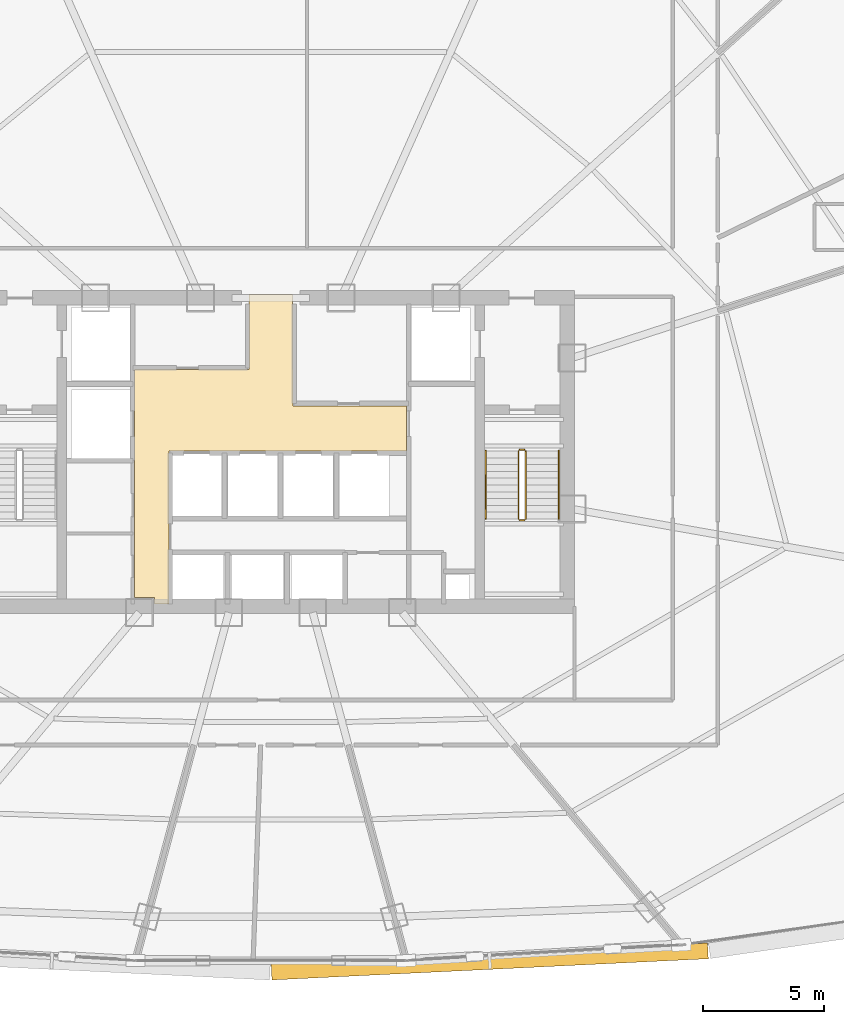
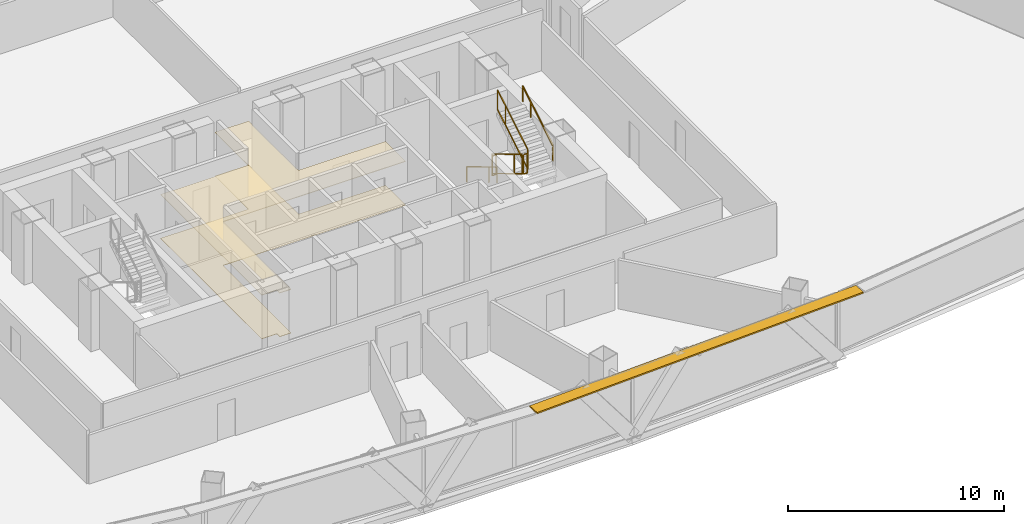
# One storey, part 40 of 42: 6 railings, 2 coverings, 1 shading device.
"""IFC4 building model written with IfcOpenShell, lengths in metres."""

from ifc_helpers import new_model, si_unit, direction, frame, origin, origin_2d, place, context, subcontext, project, spatial, polyline, rectangle, outline, extrude, source, transform, mapped, material, layer, layer_set, type_object, element, save


model = new_model("IFC4")

# Units and contexts
model_context = context("Model", 3, precision=1e-05, world=origin(), true_north=direction((0.0, 1.0)))
body_context = subcontext(model_context, "Body", "Model", "MODEL_VIEW")
ifc_project = project(units=[si_unit("LENGTHUNIT", "METRE"), si_unit("AREAUNIT", "SQUARE_METRE"), si_unit("VOLUMEUNIT", "CUBIC_METRE"), si_unit("PLANEANGLEUNIT", "RADIAN"), si_unit("MASSUNIT", "GRAM", prefix="KILO"), si_unit("THERMODYNAMICTEMPERATUREUNIT", "KELVIN"), si_unit("POWERUNIT", "WATT")], contexts=[model_context])

# Site, building, storey
site_placement = place(None, origin())
site = spatial("IfcSite", under=ifc_project, at=site_placement, CompositionType="ELEMENT")
building_placement = place(site_placement, origin())
building = spatial("IfcBuilding", under=site, at=building_placement, Name="Yunzhuo Pagoda Commons", CompositionType="ELEMENT")
storey_placement = place(building_placement, frame((0.0, 0.0, 129.830078125)))
storey = spatial("IfcBuildingStorey", under=building, at=storey_placement, Name="L32", CompositionType="ELEMENT", Elevation=129.830078125)

# Coverings
ifc_material_1 = material(Name="Perforated gypsum acoustic ceiling tile")
ifc_layer_1 = layer(ifc_material_1, 0.030029296875)
ifc_layer_set_1 = layer_set([ifc_layer_1], Name="Perforated gypsum acoustic ceiling tile")
covering_type_1 = type_object("IfcCoveringType", Name="COV-CL2 Ceiling 30", PredefinedType="CEILING", material=ifc_layer_set_1)
covering_1_placement = place(storey_placement, frame((0.0, 0.0, 2.469970703125)))
element("IfcCovering", 1, at=covering_1_placement, inside=storey, type_object=covering_type_1, Name="L32 lift lobby acoustic ceiling", PredefinedType="CEILING", context=body_context, shape_type="SweptSolid", body=[
    extrude(outline(polyline([(42.39990234375, 37.25), (47.10009765625, 37.25), (47.10009765625, 40.35009765625), (48.89990234375, 40.35009765625), (48.89990234375, 37.25), (48.919921875, 37.25), (48.919921875, 35.75), (53.580078125, 35.75), (53.580078125, 33.89990234375), (43.820068359375, 33.89990234375), (43.820068359375, 27.60009765625), (43.207763671875, 27.60009765625), (43.207763671875, 27.85009765625), (43.201904296875, 27.864013671875), (43.187744140625, 27.8701171875), (42.39990234375, 27.8701171875), (42.39990234375, 33.89990234375), (42.39990234375, 37.25)])), origin(), (0.0, 0.0, 1.0), 0.030029296875),
])
ifc_material_2 = material(Name="Porcelain ceramic floor tile")
ifc_layer_2 = layer(ifc_material_2, 0.02001953125)
ifc_layer_set_2 = layer_set([ifc_layer_2], Name="Porcelain ceramic floor tile")
covering_type_2 = type_object("IfcCoveringType", Name="COV-FL1 Flooring 20", PredefinedType="FLOORING", material=ifc_layer_set_2)
covering_2_placement = place(storey_placement, origin())
element("IfcCovering", 2, at=covering_2_placement, inside=storey, type_object=covering_type_2, Name="L32 lift lobby flooring", PredefinedType="FLOORING", context=body_context, shape_type="SweptSolid", body=[
    extrude(outline(polyline([(42.39990234375, 37.25), (47.10009765625, 37.25), (47.10009765625, 40.35009765625), (48.89990234375, 40.35009765625), (48.89990234375, 37.25), (48.919921875, 37.25), (48.919921875, 35.75), (53.580078125, 35.75), (53.580078125, 33.89990234375), (43.820068359375, 33.89990234375), (43.820068359375, 27.60009765625), (43.207763671875, 27.60009765625), (43.207763671875, 27.85009765625), (43.201904296875, 27.864013671875), (43.187744140625, 27.8701171875), (42.39990234375, 27.8701171875), (42.39990234375, 33.89990234375), (42.39990234375, 37.25)])), origin(), (0.0, 0.0, 1.0), 0.02001953125),
])

# Railings
ifc_material_3 = material(Name="Anodized aluminium 6063-T6", Category="aluminium")
railing_type_1 = type_object("IfcRailingType", Name="GR-ST2 Stair Well Guardrail 1160", PredefinedType="GUARDRAIL", material=ifc_material_3)
railing_1_placement = place(storey_placement, frame((58.199951171875, 33.89990234375, 0.167236328125)))
element("IfcRailing", 3, at=railing_1_placement, inside=storey, type_object=railing_type_1, Name="L32 ST2 stair guard 1", PredefinedType="GUARDRAIL", context=body_context, shape_type="SweptSolid", body=[
    extrude(rectangle(XDim=0.048095703125, YDim=0.048095703125, at=origin_2d()), frame((0.0, 0.0, 1.1259765625), z_axis=(0.0, -0.858475523978, 0.512854535645), x_axis=(1.0, 0.0, 0.0)), (0.0, 0.0, 1.0), 3.261474609375),
    extrude(rectangle(XDim=0.048095703125, YDim=0.048095703125, at=origin_2d()), frame((0.0, 0.0, 0.02392578125), z_axis=(0.0, -0.858475523978, 0.512854535645), x_axis=(1.0, 0.0, 0.0)), (0.0, 0.0, 1.0), 3.261474609375),
    extrude(rectangle(XDim=0.0419921875, YDim=0.0419921875, at=origin_2d()), origin(), (0.0, 0.0, 1.0), 1.101806640625),
    extrude(rectangle(XDim=0.0419921875, YDim=0.0419921875, at=origin_2d()), frame((0.0, -2.060302734375, 1.23095703125)), (0.0, 0.0, 1.0), 1.101806640625),
    extrude(rectangle(XDim=0.0419921875, YDim=0.0419921875, at=origin_2d()), frame((0.0, -2.7998046875, 1.672607421875)), (0.0, 0.0, 1.0), 1.101806640625),
])
railing_2_placement = place(storey_placement, frame((58.25, 31.050048828125, 1.83984375)))
element("IfcRailing", 4, at=railing_2_placement, inside=storey, type_object=railing_type_1, Name="L32 ST2 stair guard 2", PredefinedType="GUARDRAIL", context=body_context, shape_type="SweptSolid", body=[
    extrude(rectangle(XDim=0.048095703125, YDim=0.048095703125, at=origin_2d()), frame((0.0, 0.0, 1.1259765625), z_axis=(1.0, 0.0, 0.0), x_axis=(0.0, 1.0, 0.0)), (0.0, 0.0, 1.0), 0.199951171875),
    extrude(rectangle(XDim=0.048095703125, YDim=0.048095703125, at=origin_2d()), frame((0.0, 0.0, 0.02392578125), z_axis=(1.0, 0.0, 0.0), x_axis=(0.0, 1.0, 0.0)), (0.0, 0.0, 1.0), 0.199951171875),
    extrude(rectangle(XDim=0.0419921875, YDim=0.0419921875, at=origin_2d()), origin(), (0.0, 0.0, 1.0), 1.101806640625),
    extrude(rectangle(XDim=0.0419921875, YDim=0.0419921875, at=origin_2d()), frame((0.199951171875, 0.0, 0.0)), (0.0, 0.0, 1.0), 1.101806640625),
])
railing_3_placement = place(storey_placement, frame((58.5, 31.10009765625, 2.007080078125)))
element("IfcRailing", 5, at=railing_3_placement, inside=storey, type_object=railing_type_1, Name="L32 ST2 stair guard 3", PredefinedType="GUARDRAIL", context=body_context, shape_type="SweptSolid", body=[
    extrude(rectangle(XDim=0.048095703125, YDim=0.048095703125, at=origin_2d()), frame((0.0, 0.0, 1.1259765625), z_axis=(0.0, 0.858442565357, 0.512909701589), x_axis=(-1.0, 0.0, 0.0)), (0.0, 0.0, 1.0), 3.261474609375),
    extrude(rectangle(XDim=0.048095703125, YDim=0.048095703125, at=origin_2d()), frame((0.0, 0.0, 0.02392578125), z_axis=(0.0, 0.858442565357, 0.512909701589), x_axis=(-1.0, 0.0, 0.0)), (0.0, 0.0, 1.0), 3.261474609375),
    extrude(rectangle(XDim=0.0419921875, YDim=0.0419921875, at=origin_2d()), origin(), (0.0, 0.0, 1.0), 1.101806640625),
    extrude(rectangle(XDim=0.0419921875, YDim=0.0419921875, at=origin_2d()), frame((0.0, 2.060302734375, 1.23095703125)), (0.0, 0.0, 1.0), 1.101806640625),
    extrude(rectangle(XDim=0.0419921875, YDim=0.0419921875, at=origin_2d()), frame((0.0, 2.7998046875, 1.6728515625)), (0.0, 0.0, 1.0), 1.101806640625),
])
railing_4_placement = place(storey_placement, frame((58.25, 33.949951171875, 0.0)))
element("IfcRailing", 6, at=railing_4_placement, inside=storey, type_object=railing_type_1, Name="L32 ST2 stair guard 4", PredefinedType="GUARDRAIL", context=body_context, shape_type="SweptSolid", body=[
    extrude(rectangle(XDim=0.048095703125, YDim=0.048095703125, at=origin_2d()), frame((0.0, 0.0, 1.1259765625), z_axis=(1.0, 0.0, 0.0), x_axis=(0.0, 1.0, 0.0)), (0.0, 0.0, 1.0), 0.199951171875),
    extrude(rectangle(XDim=0.048095703125, YDim=0.048095703125, at=origin_2d()), frame((0.0, 0.0, 0.02392578125), z_axis=(1.0, 0.0, 0.0), x_axis=(0.0, 1.0, 0.0)), (0.0, 0.0, 1.0), 0.199951171875),
    extrude(rectangle(XDim=0.0419921875, YDim=0.0419921875, at=origin_2d()), origin(), (0.0, 0.0, 1.0), 1.101806640625),
    extrude(rectangle(XDim=0.0419921875, YDim=0.0419921875, at=origin_2d()), frame((0.199951171875, 0.0, 0.0)), (0.0, 0.0, 1.0), 1.101806640625),
])
railing_type_2 = type_object("IfcRailingType", Name="HR-ST2 Stair Handrail 900", PredefinedType="HANDRAIL", material=ifc_material_3)
railing_5_placement = place(storey_placement, frame((56.85009765625, 33.89990234375, 0.167236328125)))
element("IfcRailing", 7, at=railing_5_placement, inside=storey, type_object=railing_type_2, Name="L32 ST2 stair handrail 1", PredefinedType="HANDRAIL", context=body_context, shape_type="SweptSolid", body=[
    extrude(rectangle(XDim=0.048095703125, YDim=0.048095703125, at=origin_2d()), frame((0.0, 0.0, 0.8759765625), z_axis=(0.0, -0.858475523978, 0.512854535645), x_axis=(1.0, 0.0, 0.0)), (0.0, 0.0, 1.0), 3.261474609375),
    extrude(rectangle(XDim=0.0419921875, YDim=0.0419921875, at=origin_2d()), origin(), (0.0, 0.0, 1.0), 0.851806640625),
    extrude(rectangle(XDim=0.0419921875, YDim=0.0419921875, at=origin_2d()), frame((0.0, -2.060302734375, 1.23095703125)), (0.0, 0.0, 1.0), 0.851806640625),
    extrude(rectangle(XDim=0.0419921875, YDim=0.0419921875, at=origin_2d()), frame((0.0, -2.7998046875, 1.672607421875)), (0.0, 0.0, 1.0), 0.851806640625),
])
railing_6_placement = place(storey_placement, frame((59.85009765625, 31.10009765625, 2.007080078125)))
element("IfcRailing", 8, at=railing_6_placement, inside=storey, type_object=railing_type_2, Name="L32 ST2 stair handrail 2", PredefinedType="HANDRAIL", context=body_context, shape_type="SweptSolid", body=[
    extrude(rectangle(XDim=0.048095703125, YDim=0.048095703125, at=origin_2d()), frame((0.0, 0.0, 0.8759765625), z_axis=(0.0, 0.858442565357, 0.512909701589), x_axis=(-1.0, 0.0, 0.0)), (0.0, 0.0, 1.0), 3.261474609375),
    extrude(rectangle(XDim=0.0419921875, YDim=0.0419921875, at=origin_2d()), origin(), (0.0, 0.0, 1.0), 0.851806640625),
    extrude(rectangle(XDim=0.0419921875, YDim=0.0419921875, at=origin_2d()), frame((0.0, 2.060302734375, 1.23095703125)), (0.0, 0.0, 1.0), 0.851806640625),
    extrude(rectangle(XDim=0.0419921875, YDim=0.0419921875, at=origin_2d()), frame((0.0, 2.7998046875, 1.6728515625)), (0.0, 0.0, 1.0), 0.851806640625),
])

# Shading device
ifc_layer_3 = layer(ifc_material_3, 0.080078125)
ifc_layer_set_3 = layer_set([ifc_layer_3], Name="Anodized aluminium 6063-T6")
shading_device_type = type_object("IfcShadingDeviceType", Name="SH-SUN1 Pagoda Horizontal Sunshade Eave 650", PredefinedType="USERDEFINED", material=ifc_layer_set_3)
shared_shape = source(origin(), body_context, "Body", "SweptSolid", [
    extrude(rectangle(XDim=17.9873046875, YDim=0.64990234375, at=origin_2d()), origin(), (0.0, 0.0, 1.0), 0.080078125),
])
shading_device_placement = place(storey_placement, frame((57.0146484375, 12.88330078125, 3.33984375), z_axis=(0.0, 0.0, 1.0), x_axis=(0.998818043775, 0.04860571396, 0.0)))
element("IfcShadingDevice", 9, at=shading_device_placement, inside=storey, type_object=shading_device_type, Name="L32 horizontal pagoda sunshade eave F1.3", ObjectType="SUNSHADE", PredefinedType="USERDEFINED", context=body_context, shape_type="MappedRepresentation", body=[
    mapped(shared_shape, transform((0.0, 0.0, 0.0), scale=1.0)),
])

save(model, "model.ifc")
